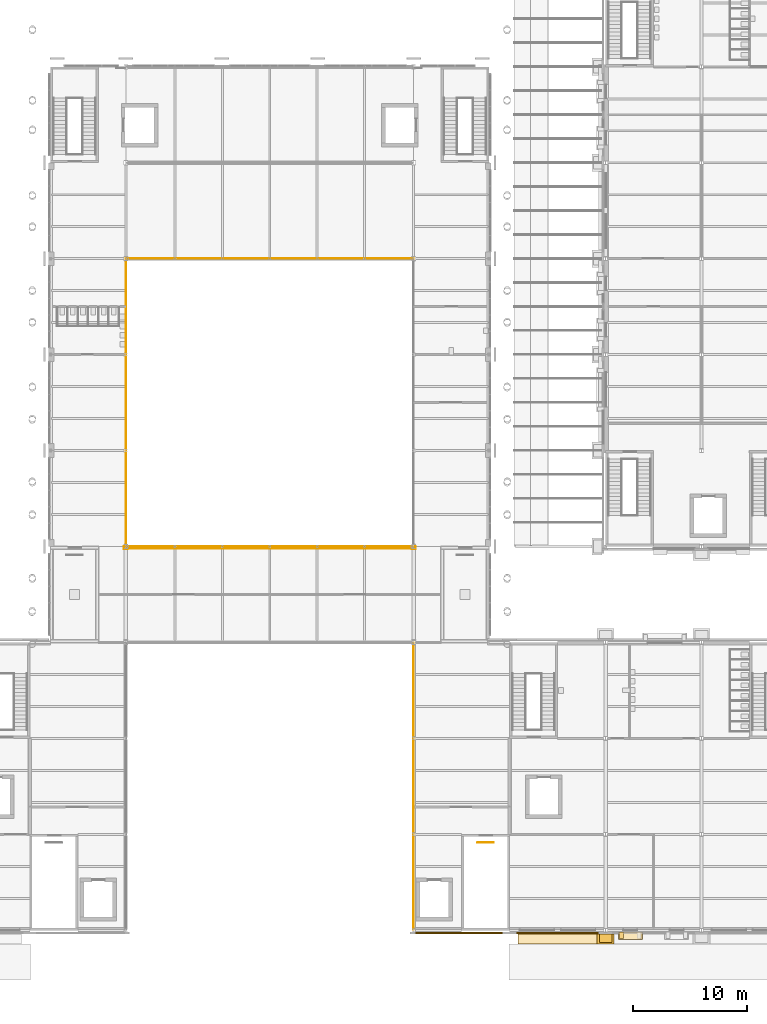
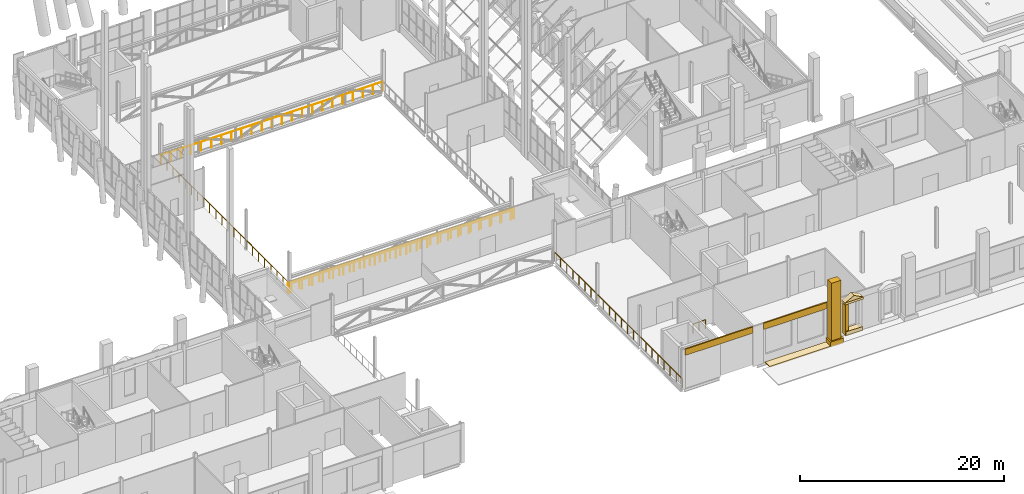
# One storey, part 62 of 76: 9 coverings, 6 railings.
"""IFC4 building model written with IfcOpenShell, lengths in metres."""

from ifc_helpers import new_model, si_unit, direction, frame, origin, origin_2d, place, context, subcontext, project, spatial, polyline, rectangle, circle, outline, extrude, material, layer, layer_set, type_object, element, save


model = new_model("IFC4")

# Units and contexts
model_context = context("Model", 3, precision=1e-05, world=origin(), true_north=direction((0.0, 1.0)))
body_context = subcontext(model_context, "Body", "Model", "MODEL_VIEW")
ifc_project = project(units=[si_unit("LENGTHUNIT", "METRE"), si_unit("AREAUNIT", "SQUARE_METRE"), si_unit("VOLUMEUNIT", "CUBIC_METRE"), si_unit("PLANEANGLEUNIT", "RADIAN"), si_unit("MASSUNIT", "GRAM", prefix="KILO")], contexts=[model_context])

# Site, building, storey
site_placement = place(None, origin())
site = spatial("IfcSite", under=ifc_project, at=site_placement, CompositionType="ELEMENT")
building_placement = place(site_placement, origin())
building = spatial("IfcBuilding", under=site, at=building_placement, Name="Sava Quay Ferry Terminal", CompositionType="ELEMENT")
storey_placement = place(building_placement, frame((0.0, 0.0, 6.0)))
storey = spatial("IfcBuildingStorey", under=building, at=storey_placement, Name="L01", CompositionType="ELEMENT", Elevation=6.0)

# Coverings
ifc_material_1 = material(Name="Standing-seam lead roofing")
ifc_layer_1 = layer(ifc_material_1, 0.1201171875)
ifc_layer_set_1 = layer_set([ifc_layer_1], Name="Standing-seam lead roofing")
covering_type_1 = type_object("IfcCoveringType", Name="Arcade roof covering 120", PredefinedType="ROOFING", material=ifc_layer_set_1)
covering_1_placement = place(storey_placement, frame((88.199951171875, 24.43994140625, 0.0), z_axis=(0.0, 0.0, 1.0), x_axis=(1.0, 0.0, 0.0)))
element("IfcCovering", 1, at=covering_1_placement, inside=storey, type_object=covering_type_1, Name="Arcade roof covering", PredefinedType="ROOFING", context=body_context, shape_type="SweptSolid", body=[
    extrude(rectangle(XDim=6.89990234375, YDim=0.89990234375, at=origin_2d()), origin(), (0.0, 0.0, 1.0), 0.1201171875),
])
ifc_material_2 = material(Name="Limestone Mutalj", Category="masonry")
ifc_layer_2 = layer(ifc_material_2, 0.89990234375)
ifc_layer_set_2 = layer_set([ifc_layer_2], Name="Limestone Mutalj")
covering_type_2 = type_object("IfcCoveringType", Name="Giant-order pilaster base 1500", PredefinedType="MOLDING", material=ifc_layer_set_2)
covering_2_placement = place(storey_placement, frame((92.39990234375, 24.43994140625, 0.0), z_axis=(0.0, 0.0, 1.0), x_axis=(1.0, 0.0, 0.0)))
element("IfcCovering", 2, at=covering_2_placement, inside=storey, type_object=covering_type_2, Name="Giant-order pilaster base", PredefinedType="MOLDING", context=body_context, shape_type="SweptSolid", body=[
    extrude(rectangle(XDim=1.5, YDim=0.89990234375, at=origin_2d()), origin(), (0.0, 0.0, 1.0), 0.60009765625),
])
ifc_material_3 = material(Name="Limestone Mutalj", Category="masonry")
ifc_layer_3 = layer(ifc_material_3, 0.75)
ifc_layer_set_3 = layer_set([ifc_layer_3], Name="Limestone Mutalj")
covering_type_3 = type_object("IfcCoveringType", Name="Giant-order pilaster shaft 1100", PredefinedType="CLADDING", material=ifc_layer_set_3)
covering_3_placement = place(storey_placement, frame((92.39990234375, 24.514892578125, 0.60009765625), z_axis=(0.0, 0.0, 1.0), x_axis=(1.0, 0.0, 0.0)))
element("IfcCovering", 3, at=covering_3_placement, inside=storey, type_object=covering_type_3, Name="Giant-order pilaster", PredefinedType="CLADDING", context=body_context, shape_type="SweptSolid", body=[
    extrude(rectangle(XDim=1.10009765625, YDim=0.75, at=origin_2d()), origin(), (0.0, 0.0, 1.0), 6.89990234375),
])

# Railings
ifc_material_4 = material(Name="Steel S355", Category="steel")
railing_type = type_object("IfcRailingType", Name="Guard 1100", PredefinedType="GUARDRAIL", material=ifc_material_4)
railing_1_placement = place(storey_placement, frame((81.199951171875, 32.8701171875, 0.0)))
element("IfcRailing", 4, at=railing_1_placement, inside=storey, type_object=railing_type, Name="Guard at stair well ST-A2 L01", PredefinedType="GUARDRAIL", context=body_context, shape_type="SweptSolid", body=[
    extrude(circle(Radius=0.02392578125, at=origin_2d()), frame((0.0, 0.0, 1.076171875), z_axis=(1.0, 0.0, 0.0), x_axis=(0.0, 1.0, 0.0)), (0.0, 0.0, 1.0), 1.400146484375),
    extrude(circle(Radius=0.02099609375, at=origin_2d()), origin(), (0.0, 0.0, 1.0), 1.052001953125),
    extrude(circle(Radius=0.02099609375, at=origin_2d()), frame((0.7001953125, 0.0, 0.0)), (0.0, 0.0, 1.0), 1.052001953125),
    extrude(circle(Radius=0.02099609375, at=origin_2d()), frame((1.400146484375, 0.0, 0.0)), (0.0, 0.0, 1.0), 1.052001953125),
])
railing_2_placement = place(storey_placement, frame((75.60009765625, 25.260009765625, 0.0)))
element("IfcRailing", 5, at=railing_2_placement, inside=storey, type_object=railing_type, Name="Mezzanine guard", PredefinedType="GUARDRAIL", context=body_context, shape_type="SweptSolid", body=[
    extrude(circle(Radius=0.02392578125, at=origin_2d()), frame((0.0, 0.0, 1.076171875), z_axis=(0.0, 1.0, 0.0), x_axis=(-1.0, 0.0, 0.0)), (0.0, 0.0, 1.0), 25.080078125),
    extrude(circle(Radius=0.02099609375, at=origin_2d()), origin(), (0.0, 0.0, 1.0), 1.052001953125),
    extrude(circle(Radius=0.02099609375, at=origin_2d()), frame((0.0, 1.1943359375, 0.0)), (0.0, 0.0, 1.0), 1.052001953125),
    extrude(circle(Radius=0.02099609375, at=origin_2d()), frame((0.0, 2.388671875, 0.0)), (0.0, 0.0, 1.0), 1.052001953125),
    extrude(circle(Radius=0.02099609375, at=origin_2d()), frame((0.0, 3.582763671875, 0.0)), (0.0, 0.0, 1.0), 1.052001953125),
    extrude(circle(Radius=0.02099609375, at=origin_2d()), frame((0.0, 4.777099609375, 0.0)), (0.0, 0.0, 1.0), 1.052001953125),
    extrude(circle(Radius=0.02099609375, at=origin_2d()), frame((0.0, 5.971435546875, 0.0)), (0.0, 0.0, 1.0), 1.052001953125),
    extrude(circle(Radius=0.02099609375, at=origin_2d()), frame((0.0, 7.165771484375, 0.0)), (0.0, 0.0, 1.0), 1.052001953125),
    extrude(circle(Radius=0.02099609375, at=origin_2d()), frame((0.0, 8.360107421875, 0.0)), (0.0, 0.0, 1.0), 1.052001953125),
    extrude(circle(Radius=0.02099609375, at=origin_2d()), frame((0.0, 9.55419921875, 0.0)), (0.0, 0.0, 1.0), 1.052001953125),
    extrude(circle(Radius=0.02099609375, at=origin_2d()), frame((0.0, 10.74853515625, 0.0)), (0.0, 0.0, 1.0), 1.052001953125),
    extrude(circle(Radius=0.02099609375, at=origin_2d()), frame((0.0, 11.94287109375, 0.0)), (0.0, 0.0, 1.0), 1.052001953125),
    extrude(circle(Radius=0.02099609375, at=origin_2d()), frame((0.0, 13.13720703125, 0.0)), (0.0, 0.0, 1.0), 1.052001953125),
    extrude(circle(Radius=0.02099609375, at=origin_2d()), frame((0.0, 14.33154296875, 0.0)), (0.0, 0.0, 1.0), 1.052001953125),
    extrude(circle(Radius=0.02099609375, at=origin_2d()), frame((0.0, 15.52587890625, 0.0)), (0.0, 0.0, 1.0), 1.052001953125),
    extrude(circle(Radius=0.02099609375, at=origin_2d()), frame((0.0, 16.719970703125, 0.0)), (0.0, 0.0, 1.0), 1.052001953125),
    extrude(circle(Radius=0.02099609375, at=origin_2d()), frame((0.0, 17.914306640625, 0.0)), (0.0, 0.0, 1.0), 1.052001953125),
    extrude(circle(Radius=0.02099609375, at=origin_2d()), frame((0.0, 19.108642578125, 0.0)), (0.0, 0.0, 1.0), 1.052001953125),
    extrude(circle(Radius=0.02099609375, at=origin_2d()), frame((0.0, 20.302978515625, 0.0)), (0.0, 0.0, 1.0), 1.052001953125),
    extrude(circle(Radius=0.02099609375, at=origin_2d()), frame((0.0, 21.497314453125, 0.0)), (0.0, 0.0, 1.0), 1.052001953125),
    extrude(circle(Radius=0.02099609375, at=origin_2d()), frame((0.0, 22.69140625, 0.0)), (0.0, 0.0, 1.0), 1.052001953125),
    extrude(circle(Radius=0.02099609375, at=origin_2d()), frame((0.0, 23.8857421875, 0.0)), (0.0, 0.0, 1.0), 1.052001953125),
    extrude(circle(Radius=0.02099609375, at=origin_2d()), frame((0.0, 25.080078125, 0.0)), (0.0, 0.0, 1.0), 1.052001953125),
])
railing_3_placement = place(storey_placement, frame((50.39990234375, 58.800048828125, 0.0)))
element("IfcRailing", 6, at=railing_3_placement, inside=storey, type_object=railing_type, Name="Mezzanine guard", PredefinedType="GUARDRAIL", context=body_context, shape_type="SweptSolid", body=[
    extrude(circle(Radius=0.02392578125, at=origin_2d()), frame((0.0, 0.0, 1.076171875), z_axis=(1.0, 0.0, 0.0), x_axis=(0.0, 1.0, 0.0)), (0.0, 0.0, 1.0), 25.2001953125),
    extrude(circle(Radius=0.02099609375, at=origin_2d()), origin(), (0.0, 0.0, 1.0), 1.052001953125),
    extrude(circle(Radius=0.02099609375, at=origin_2d()), frame((1.1455078125, 0.0, 0.0)), (0.0, 0.0, 1.0), 1.052001953125),
    extrude(circle(Radius=0.02099609375, at=origin_2d()), frame((2.291015625, 0.0, 0.0)), (0.0, 0.0, 1.0), 1.052001953125),
    extrude(circle(Radius=0.02099609375, at=origin_2d()), frame((3.436279296875, 0.0, 0.0)), (0.0, 0.0, 1.0), 1.052001953125),
    extrude(circle(Radius=0.02099609375, at=origin_2d()), frame((4.581787109375, 0.0, 0.0)), (0.0, 0.0, 1.0), 1.052001953125),
    extrude(circle(Radius=0.02099609375, at=origin_2d()), frame((5.727294921875, 0.0, 0.0)), (0.0, 0.0, 1.0), 1.052001953125),
    extrude(circle(Radius=0.02099609375, at=origin_2d()), frame((6.872802734375, 0.0, 0.0)), (0.0, 0.0, 1.0), 1.052001953125),
    extrude(circle(Radius=0.02099609375, at=origin_2d()), frame((8.018310546875, 0.0, 0.0)), (0.0, 0.0, 1.0), 1.052001953125),
    extrude(circle(Radius=0.02099609375, at=origin_2d()), frame((9.163818359375, 0.0, 0.0)), (0.0, 0.0, 1.0), 1.052001953125),
    extrude(circle(Radius=0.02099609375, at=origin_2d()), frame((10.30908203125, 0.0, 0.0)), (0.0, 0.0, 1.0), 1.052001953125),
    extrude(circle(Radius=0.02099609375, at=origin_2d()), frame((11.45458984375, 0.0, 0.0)), (0.0, 0.0, 1.0), 1.052001953125),
    extrude(circle(Radius=0.02099609375, at=origin_2d()), frame((12.60009765625, 0.0, 0.0)), (0.0, 0.0, 1.0), 1.052001953125),
    extrude(circle(Radius=0.02099609375, at=origin_2d()), frame((13.74560546875, 0.0, 0.0)), (0.0, 0.0, 1.0), 1.052001953125),
    extrude(circle(Radius=0.02099609375, at=origin_2d()), frame((14.89111328125, 0.0, 0.0)), (0.0, 0.0, 1.0), 1.052001953125),
    extrude(circle(Radius=0.02099609375, at=origin_2d()), frame((16.036376953125, 0.0, 0.0)), (0.0, 0.0, 1.0), 1.052001953125),
    extrude(circle(Radius=0.02099609375, at=origin_2d()), frame((17.181884765625, 0.0, 0.0)), (0.0, 0.0, 1.0), 1.052001953125),
    extrude(circle(Radius=0.02099609375, at=origin_2d()), frame((18.327392578125, 0.0, 0.0)), (0.0, 0.0, 1.0), 1.052001953125),
    extrude(circle(Radius=0.02099609375, at=origin_2d()), frame((19.472900390625, 0.0, 0.0)), (0.0, 0.0, 1.0), 1.052001953125),
    extrude(circle(Radius=0.02099609375, at=origin_2d()), frame((20.618408203125, 0.0, 0.0)), (0.0, 0.0, 1.0), 1.052001953125),
    extrude(circle(Radius=0.02099609375, at=origin_2d()), frame((21.763916015625, 0.0, 0.0)), (0.0, 0.0, 1.0), 1.052001953125),
    extrude(circle(Radius=0.02099609375, at=origin_2d()), frame((22.9091796875, 0.0, 0.0)), (0.0, 0.0, 1.0), 1.052001953125),
    extrude(circle(Radius=0.02099609375, at=origin_2d()), frame((24.0546875, 0.0, 0.0)), (0.0, 0.0, 1.0), 1.052001953125),
    extrude(circle(Radius=0.02099609375, at=origin_2d()), frame((25.2001953125, 0.0, 0.0)), (0.0, 0.0, 1.0), 1.052001953125),
])
railing_4_placement = place(storey_placement, frame((50.39990234375, 84.0, 0.0)))
element("IfcRailing", 7, at=railing_4_placement, inside=storey, type_object=railing_type, Name="Mezzanine guard", PredefinedType="GUARDRAIL", context=body_context, shape_type="SweptSolid", body=[
    extrude(circle(Radius=0.02392578125, at=origin_2d()), frame((0.0, 0.0, 1.076171875), z_axis=(1.0, 0.0, 0.0), x_axis=(0.0, 1.0, 0.0)), (0.0, 0.0, 1.0), 25.2001953125),
    extrude(circle(Radius=0.02099609375, at=origin_2d()), origin(), (0.0, 0.0, 1.0), 1.052001953125),
    extrude(circle(Radius=0.02099609375, at=origin_2d()), frame((1.1455078125, 0.0, 0.0)), (0.0, 0.0, 1.0), 1.052001953125),
    extrude(circle(Radius=0.02099609375, at=origin_2d()), frame((2.291015625, 0.0, 0.0)), (0.0, 0.0, 1.0), 1.052001953125),
    extrude(circle(Radius=0.02099609375, at=origin_2d()), frame((3.436279296875, 0.0, 0.0)), (0.0, 0.0, 1.0), 1.052001953125),
    extrude(circle(Radius=0.02099609375, at=origin_2d()), frame((4.581787109375, 0.0, 0.0)), (0.0, 0.0, 1.0), 1.052001953125),
    extrude(circle(Radius=0.02099609375, at=origin_2d()), frame((5.727294921875, 0.0, 0.0)), (0.0, 0.0, 1.0), 1.052001953125),
    extrude(circle(Radius=0.02099609375, at=origin_2d()), frame((6.872802734375, 0.0, 0.0)), (0.0, 0.0, 1.0), 1.052001953125),
    extrude(circle(Radius=0.02099609375, at=origin_2d()), frame((8.018310546875, 0.0, 0.0)), (0.0, 0.0, 1.0), 1.052001953125),
    extrude(circle(Radius=0.02099609375, at=origin_2d()), frame((9.163818359375, 0.0, 0.0)), (0.0, 0.0, 1.0), 1.052001953125),
    extrude(circle(Radius=0.02099609375, at=origin_2d()), frame((10.30908203125, 0.0, 0.0)), (0.0, 0.0, 1.0), 1.052001953125),
    extrude(circle(Radius=0.02099609375, at=origin_2d()), frame((11.45458984375, 0.0, 0.0)), (0.0, 0.0, 1.0), 1.052001953125),
    extrude(circle(Radius=0.02099609375, at=origin_2d()), frame((12.60009765625, 0.0, 0.0)), (0.0, 0.0, 1.0), 1.052001953125),
    extrude(circle(Radius=0.02099609375, at=origin_2d()), frame((13.74560546875, 0.0, 0.0)), (0.0, 0.0, 1.0), 1.052001953125),
    extrude(circle(Radius=0.02099609375, at=origin_2d()), frame((14.89111328125, 0.0, 0.0)), (0.0, 0.0, 1.0), 1.052001953125),
    extrude(circle(Radius=0.02099609375, at=origin_2d()), frame((16.036376953125, 0.0, 0.0)), (0.0, 0.0, 1.0), 1.052001953125),
    extrude(circle(Radius=0.02099609375, at=origin_2d()), frame((17.181884765625, 0.0, 0.0)), (0.0, 0.0, 1.0), 1.052001953125),
    extrude(circle(Radius=0.02099609375, at=origin_2d()), frame((18.327392578125, 0.0, 0.0)), (0.0, 0.0, 1.0), 1.052001953125),
    extrude(circle(Radius=0.02099609375, at=origin_2d()), frame((19.472900390625, 0.0, 0.0)), (0.0, 0.0, 1.0), 1.052001953125),
    extrude(circle(Radius=0.02099609375, at=origin_2d()), frame((20.618408203125, 0.0, 0.0)), (0.0, 0.0, 1.0), 1.052001953125),
    extrude(circle(Radius=0.02099609375, at=origin_2d()), frame((21.763916015625, 0.0, 0.0)), (0.0, 0.0, 1.0), 1.052001953125),
    extrude(circle(Radius=0.02099609375, at=origin_2d()), frame((22.9091796875, 0.0, 0.0)), (0.0, 0.0, 1.0), 1.052001953125),
    extrude(circle(Radius=0.02099609375, at=origin_2d()), frame((24.0546875, 0.0, 0.0)), (0.0, 0.0, 1.0), 1.052001953125),
    extrude(circle(Radius=0.02099609375, at=origin_2d()), frame((25.2001953125, 0.0, 0.0)), (0.0, 0.0, 1.0), 1.052001953125),
])
railing_5_placement = place(storey_placement, frame((50.39990234375, 58.800048828125, 0.0)))
element("IfcRailing", 8, at=railing_5_placement, inside=storey, type_object=railing_type, Name="Mezzanine guard", PredefinedType="GUARDRAIL", context=body_context, shape_type="SweptSolid", body=[
    extrude(circle(Radius=0.02392578125, at=origin_2d()), frame((0.0, 0.0, 1.076171875), z_axis=(0.0, 1.0, 0.0), x_axis=(-1.0, 0.0, 0.0)), (0.0, 0.0, 1.0), 25.199951171875),
    extrude(circle(Radius=0.02099609375, at=origin_2d()), origin(), (0.0, 0.0, 1.0), 1.052001953125),
    extrude(circle(Radius=0.02099609375, at=origin_2d()), frame((0.0, 1.199951171875, 0.0)), (0.0, 0.0, 1.0), 1.052001953125),
    extrude(circle(Radius=0.02099609375, at=origin_2d()), frame((0.0, 2.39990234375, 0.0)), (0.0, 0.0, 1.0), 1.052001953125),
    extrude(circle(Radius=0.02099609375, at=origin_2d()), frame((0.0, 3.60009765625, 0.0)), (0.0, 0.0, 1.0), 1.052001953125),
    extrude(circle(Radius=0.02099609375, at=origin_2d()), frame((0.0, 4.800048828125, 0.0)), (0.0, 0.0, 1.0), 1.052001953125),
    extrude(circle(Radius=0.02099609375, at=origin_2d()), frame((0.0, 6.0, 0.0)), (0.0, 0.0, 1.0), 1.052001953125),
    extrude(circle(Radius=0.02099609375, at=origin_2d()), frame((0.0, 7.199951171875, 0.0)), (0.0, 0.0, 1.0), 1.052001953125),
    extrude(circle(Radius=0.02099609375, at=origin_2d()), frame((0.0, 8.39990234375, 0.0)), (0.0, 0.0, 1.0), 1.052001953125),
    extrude(circle(Radius=0.02099609375, at=origin_2d()), frame((0.0, 9.60009765625, 0.0)), (0.0, 0.0, 1.0), 1.052001953125),
    extrude(circle(Radius=0.02099609375, at=origin_2d()), frame((0.0, 10.800048828125, 0.0)), (0.0, 0.0, 1.0), 1.052001953125),
    extrude(circle(Radius=0.02099609375, at=origin_2d()), frame((0.0, 12.0, 0.0)), (0.0, 0.0, 1.0), 1.052001953125),
    extrude(circle(Radius=0.02099609375, at=origin_2d()), frame((0.0, 13.199951171875, 0.0)), (0.0, 0.0, 1.0), 1.052001953125),
    extrude(circle(Radius=0.02099609375, at=origin_2d()), frame((0.0, 14.39990234375, 0.0)), (0.0, 0.0, 1.0), 1.052001953125),
    extrude(circle(Radius=0.02099609375, at=origin_2d()), frame((0.0, 15.599853515625, 0.0)), (0.0, 0.0, 1.0), 1.052001953125),
    extrude(circle(Radius=0.02099609375, at=origin_2d()), frame((0.0, 16.800048828125, 0.0)), (0.0, 0.0, 1.0), 1.052001953125),
    extrude(circle(Radius=0.02099609375, at=origin_2d()), frame((0.0, 18.0, 0.0)), (0.0, 0.0, 1.0), 1.052001953125),
    extrude(circle(Radius=0.02099609375, at=origin_2d()), frame((0.0, 19.199951171875, 0.0)), (0.0, 0.0, 1.0), 1.052001953125),
    extrude(circle(Radius=0.02099609375, at=origin_2d()), frame((0.0, 20.39990234375, 0.0)), (0.0, 0.0, 1.0), 1.052001953125),
    extrude(circle(Radius=0.02099609375, at=origin_2d()), frame((0.0, 21.599853515625, 0.0)), (0.0, 0.0, 1.0), 1.052001953125),
    extrude(circle(Radius=0.02099609375, at=origin_2d()), frame((0.0, 22.800048828125, 0.0)), (0.0, 0.0, 1.0), 1.052001953125),
    extrude(circle(Radius=0.02099609375, at=origin_2d()), frame((0.0, 24.0, 0.0)), (0.0, 0.0, 1.0), 1.052001953125),
    extrude(circle(Radius=0.02099609375, at=origin_2d()), frame((0.0, 25.199951171875, 0.0)), (0.0, 0.0, 1.0), 1.052001953125),
])
railing_6_placement = place(storey_placement, frame((50.239990234375, 58.800048828125, 0.0)))
element("IfcRailing", 9, at=railing_6_placement, inside=storey, type_object=railing_type, Name="Mezzanine guard", PredefinedType="GUARDRAIL", context=body_context, shape_type="SweptSolid", body=[
    extrude(circle(Radius=0.02392578125, at=origin_2d()), frame((0.0, 0.0, 1.076171875), z_axis=(0.0, -1.0, 0.0), x_axis=(1.0, 0.0, 0.0)), (0.0, 0.0, 1.0), 0.2099609375),
    extrude(circle(Radius=0.02392578125, at=origin_2d()), frame((0.0, -0.2099609375, 1.076171875), z_axis=(1.0, 0.0, 0.0), x_axis=(0.0, 1.0, 0.0)), (0.0, 0.0, 1.0), 0.320068359375),
    extrude(circle(Radius=0.02392578125, at=origin_2d()), frame((0.320068359375, -0.2099609375, 1.076171875), z_axis=(0.0, 1.0, 0.0), x_axis=(-1.0, 0.0, 0.0)), (0.0, 0.0, 1.0), 0.039794921875),
    extrude(circle(Radius=0.02392578125, at=origin_2d()), frame((0.320068359375, -0.170166015625, 1.076171875), z_axis=(1.0, 0.0, 0.0), x_axis=(0.0, 1.0, 0.0)), (0.0, 0.0, 1.0), 24.8798828125),
    extrude(circle(Radius=0.02392578125, at=origin_2d()), frame((25.199951171875, -0.170166015625, 1.076171875), z_axis=(0.0, -1.0, 0.0), x_axis=(1.0, 0.0, 0.0)), (0.0, 0.0, 1.0), 0.039794921875),
    extrude(circle(Radius=0.02392578125, at=origin_2d()), frame((25.199951171875, -0.2099609375, 1.076171875), z_axis=(1.0, 0.0, 0.0), x_axis=(0.0, 1.0, 0.0)), (0.0, 0.0, 1.0), 0.320068359375),
    extrude(circle(Radius=0.02392578125, at=origin_2d()), frame((25.52001953125, -0.2099609375, 1.076171875), z_axis=(0.0, 1.0, 0.0), x_axis=(-1.0, 0.0, 0.0)), (0.0, 0.0, 1.0), 0.2099609375),
    extrude(circle(Radius=0.02099609375, at=origin_2d()), origin(), (0.0, 0.0, 1.0), 1.052001953125),
    extrude(circle(Radius=0.02099609375, at=origin_2d()), frame((0.0, -0.2099609375, 0.0)), (0.0, 0.0, 1.0), 1.052001953125),
    extrude(circle(Radius=0.02099609375, at=origin_2d()), frame((0.320068359375, -0.2099609375, 0.0)), (0.0, 0.0, 1.0), 1.052001953125),
    extrude(circle(Radius=0.02099609375, at=origin_2d()), frame((0.320068359375, -0.170166015625, 0.0)), (0.0, 0.0, 1.0), 1.052001953125),
    extrude(circle(Radius=0.02099609375, at=origin_2d()), frame((1.5048828125, -0.170166015625, 0.0)), (0.0, 0.0, 1.0), 1.052001953125),
    extrude(circle(Radius=0.02099609375, at=origin_2d()), frame((2.689697265625, -0.170166015625, 0.0)), (0.0, 0.0, 1.0), 1.052001953125),
    extrude(circle(Radius=0.02099609375, at=origin_2d()), frame((3.874267578125, -0.170166015625, 0.0)), (0.0, 0.0, 1.0), 1.052001953125),
    extrude(circle(Radius=0.02099609375, at=origin_2d()), frame((5.05908203125, -0.170166015625, 0.0)), (0.0, 0.0, 1.0), 1.052001953125),
    extrude(circle(Radius=0.02099609375, at=origin_2d()), frame((6.243896484375, -0.170166015625, 0.0)), (0.0, 0.0, 1.0), 1.052001953125),
    extrude(circle(Radius=0.02099609375, at=origin_2d()), frame((7.4287109375, -0.170166015625, 0.0)), (0.0, 0.0, 1.0), 1.052001953125),
    extrude(circle(Radius=0.02099609375, at=origin_2d()), frame((8.61328125, -0.170166015625, 0.0)), (0.0, 0.0, 1.0), 1.052001953125),
    extrude(circle(Radius=0.02099609375, at=origin_2d()), frame((9.798095703125, -0.170166015625, 0.0)), (0.0, 0.0, 1.0), 1.052001953125),
    extrude(circle(Radius=0.02099609375, at=origin_2d()), frame((10.98291015625, -0.170166015625, 0.0)), (0.0, 0.0, 1.0), 1.052001953125),
    extrude(circle(Radius=0.02099609375, at=origin_2d()), frame((12.167724609375, -0.170166015625, 0.0)), (0.0, 0.0, 1.0), 1.052001953125),
    extrude(circle(Radius=0.02099609375, at=origin_2d()), frame((13.352294921875, -0.170166015625, 0.0)), (0.0, 0.0, 1.0), 1.052001953125),
    extrude(circle(Radius=0.02099609375, at=origin_2d()), frame((14.537109375, -0.170166015625, 0.0)), (0.0, 0.0, 1.0), 1.052001953125),
    extrude(circle(Radius=0.02099609375, at=origin_2d()), frame((15.721923828125, -0.170166015625, 0.0)), (0.0, 0.0, 1.0), 1.052001953125),
    extrude(circle(Radius=0.02099609375, at=origin_2d()), frame((16.90673828125, -0.170166015625, 0.0)), (0.0, 0.0, 1.0), 1.052001953125),
    extrude(circle(Radius=0.02099609375, at=origin_2d()), frame((18.09130859375, -0.170166015625, 0.0)), (0.0, 0.0, 1.0), 1.052001953125),
    extrude(circle(Radius=0.02099609375, at=origin_2d()), frame((19.276123046875, -0.170166015625, 0.0)), (0.0, 0.0, 1.0), 1.052001953125),
    extrude(circle(Radius=0.02099609375, at=origin_2d()), frame((20.4609375, -0.170166015625, 0.0)), (0.0, 0.0, 1.0), 1.052001953125),
    extrude(circle(Radius=0.02099609375, at=origin_2d()), frame((21.645751953125, -0.170166015625, 0.0)), (0.0, 0.0, 1.0), 1.052001953125),
    extrude(circle(Radius=0.02099609375, at=origin_2d()), frame((22.830322265625, -0.170166015625, 0.0)), (0.0, 0.0, 1.0), 1.052001953125),
    extrude(circle(Radius=0.02099609375, at=origin_2d()), frame((24.01513671875, -0.170166015625, 0.0)), (0.0, 0.0, 1.0), 1.052001953125),
    extrude(circle(Radius=0.02099609375, at=origin_2d()), frame((25.199951171875, -0.170166015625, 0.0)), (0.0, 0.0, 1.0), 1.052001953125),
    extrude(circle(Radius=0.02099609375, at=origin_2d()), frame((25.199951171875, -0.2099609375, 0.0)), (0.0, 0.0, 1.0), 1.052001953125),
    extrude(circle(Radius=0.02099609375, at=origin_2d()), frame((25.52001953125, -0.2099609375, 0.0)), (0.0, 0.0, 1.0), 1.052001953125),
    extrude(circle(Radius=0.02099609375, at=origin_2d()), frame((25.52001953125, 0.0, 0.0)), (0.0, 0.0, 1.0), 1.052001953125),
])

# Coverings
ifc_material_5 = material(Name="Limestone Mutalj", Category="masonry")
ifc_layer_4 = layer(ifc_material_5, 0.14990234375)
ifc_layer_set_4 = layer_set([ifc_layer_4], Name="Limestone Mutalj")
covering_type_4 = type_object("IfcCoveringType", Name="Limestone string course 150", PredefinedType="CLADDING", material=ifc_layer_set_4)
covering_4_placement = place(storey_placement, frame((0.0, 0.0, 4.050048828125)))
element("IfcCovering", 10, at=covering_4_placement, inside=storey, type_object=covering_type_4, Name="String course P-S", PredefinedType="CLADDING", context=body_context, shape_type="SweptSolid", body=[
    extrude(outline(polyline([(75.72998046875, 25.0400390625), (83.39990234375, 25.0400390625), (83.39990234375, 24.889892578125), (75.72998046875, 24.889892578125), (75.72998046875, 25.0400390625)])), origin(), (0.0, 0.0, 1.0), 0.75),
])
covering_5_placement = place(storey_placement, frame((0.0, 0.0, 4.050048828125)))
element("IfcCovering", 11, at=covering_5_placement, inside=storey, type_object=covering_type_4, Name="String course P-S", PredefinedType="CLADDING", context=body_context, shape_type="SweptSolid", body=[
    extrude(outline(polyline([(84.60009765625, 25.0400390625), (91.800048828125, 25.0400390625), (91.800048828125, 24.889892578125), (84.60009765625, 24.889892578125), (84.60009765625, 25.0400390625)])), origin(), (0.0, 0.0, 1.0), 0.75),
])
ifc_material_6 = material(Name="Limestone Mutalj", Category="masonry")
ifc_layer_5 = layer(ifc_material_6, 0.64990234375)
ifc_layer_set_5 = layer_set([ifc_layer_5], Name="Limestone Mutalj")
covering_type_5 = type_object("IfcCoveringType", Name="Triangular window head 500", PredefinedType="MOLDING", material=ifc_layer_set_5)
covering_6_placement = place(storey_placement, frame((93.518798828125, 24.389892578125, 4.39990234375), z_axis=(0.0, -1.0, 0.0), x_axis=(1.0, 0.0, 0.0)))
element("IfcCovering", 12, at=covering_6_placement, inside=storey, type_object=covering_type_5, Name="Triangular window head", PredefinedType="MOLDING", context=body_context, shape_type="SweptSolid", body=[
    extrude(outline(polyline([(0.0, 0.0), (2.099853515625, 0.0), (1.0498046875, 0.550048828125), (0.0, 0.0)])), origin(), (0.0, 0.0, -1.0), 0.64990234375),
])
ifc_material_7 = material(Name="Limestone Mutalj", Category="masonry")
ifc_layer_6 = layer(ifc_material_7, 0.550048828125)
ifc_layer_set_6 = layer_set([ifc_layer_6], Name="Limestone Mutalj")
covering_type_6 = type_object("IfcCoveringType", Name="Window surround jamb 350", PredefinedType="MOLDING", material=ifc_layer_set_6)
covering_7_placement = place(storey_placement, frame((93.793701171875, 24.764892578125, 0.4501953125), z_axis=(0.0, 0.0, 1.0), x_axis=(1.0, 0.0, 0.0)))
element("IfcCovering", 13, at=covering_7_placement, inside=storey, type_object=covering_type_6, Name="Window surround jamb", PredefinedType="MOLDING", context=body_context, shape_type="SweptSolid", body=[
    extrude(rectangle(XDim=0.35009765625, YDim=0.550048828125, at=origin_2d()), origin(), (0.0, 0.0, 1.0), 3.699951171875),
])
ifc_material_8 = material(Name="Limestone Mutalj", Category="masonry")
ifc_layer_7 = layer(ifc_material_8, 0.64990234375)
ifc_layer_set_7 = layer_set([ifc_layer_7], Name="Limestone Mutalj")
covering_type_7 = type_object("IfcCoveringType", Name="Window surround lintel 300", PredefinedType="MOLDING", material=ifc_layer_set_7)
covering_8_placement = place(storey_placement, frame((94.568603515625, 24.715087890625, 4.14990234375), z_axis=(0.0, 0.0, 1.0), x_axis=(1.0, 0.0, 0.0)))
element("IfcCovering", 14, at=covering_8_placement, inside=storey, type_object=covering_type_7, Name="Window surround lintel", PredefinedType="MOLDING", context=body_context, shape_type="SweptSolid", body=[
    extrude(rectangle(XDim=2.10009765625, YDim=0.64990234375, at=origin_2d()), origin(), (0.0, 0.0, 1.0), 0.25),
])
ifc_material_9 = material(Name="Limestone Mutalj", Category="masonry")
ifc_layer_8 = layer(ifc_material_9, 0.64990234375)
ifc_layer_set_8 = layer_set([ifc_layer_8], Name="Limestone Mutalj")
covering_type_8 = type_object("IfcCoveringType", Name="Window surround sill 450", PredefinedType="MOLDING", material=ifc_layer_set_8)
covering_9_placement = place(storey_placement, frame((94.568603515625, 24.715087890625, 0.4501953125), z_axis=(0.0, 0.0, 1.0), x_axis=(1.0, 0.0, 0.0)))
element("IfcCovering", 15, at=covering_9_placement, inside=storey, type_object=covering_type_8, Name="Window surround sill", PredefinedType="MOLDING", context=body_context, shape_type="SweptSolid", body=[
    extrude(rectangle(XDim=1.89990234375, YDim=0.64990234375, at=origin_2d()), origin(), (0.0, 0.0, 1.0), 0.449951171875),
])

save(model, "model.ifc")
